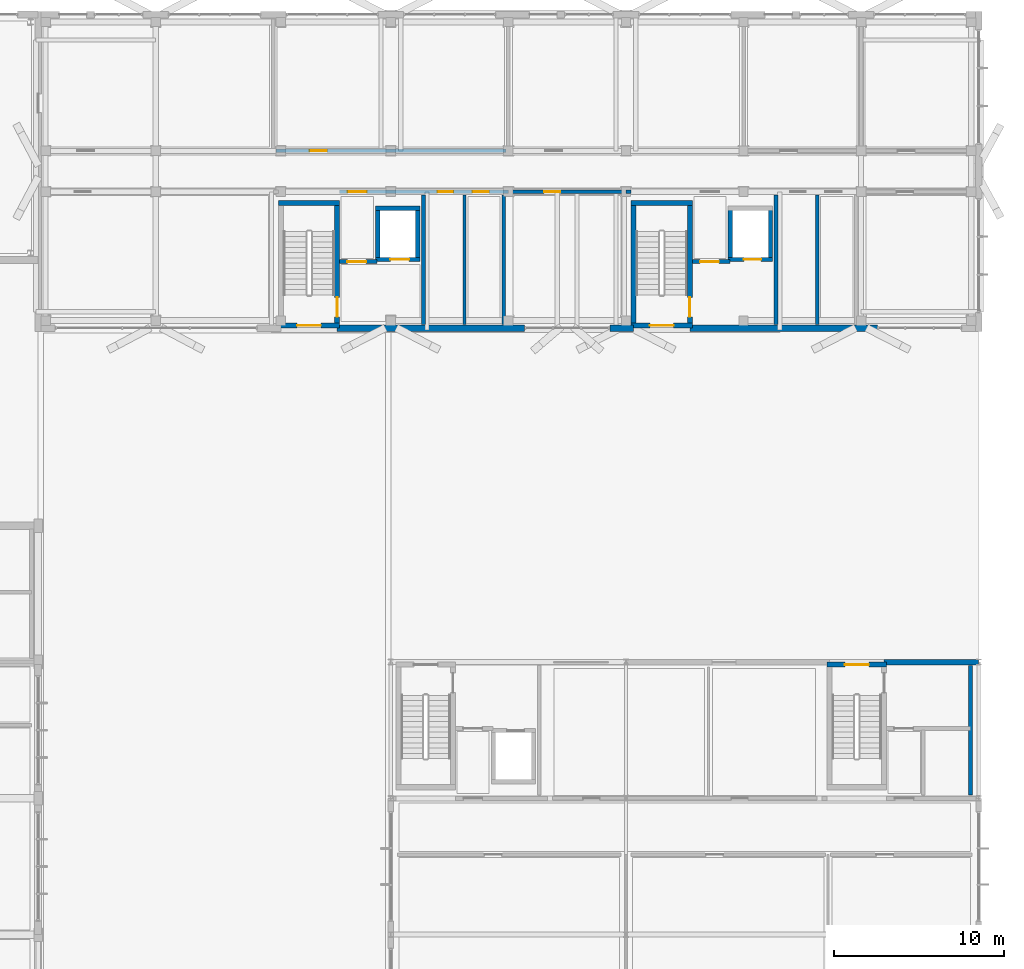
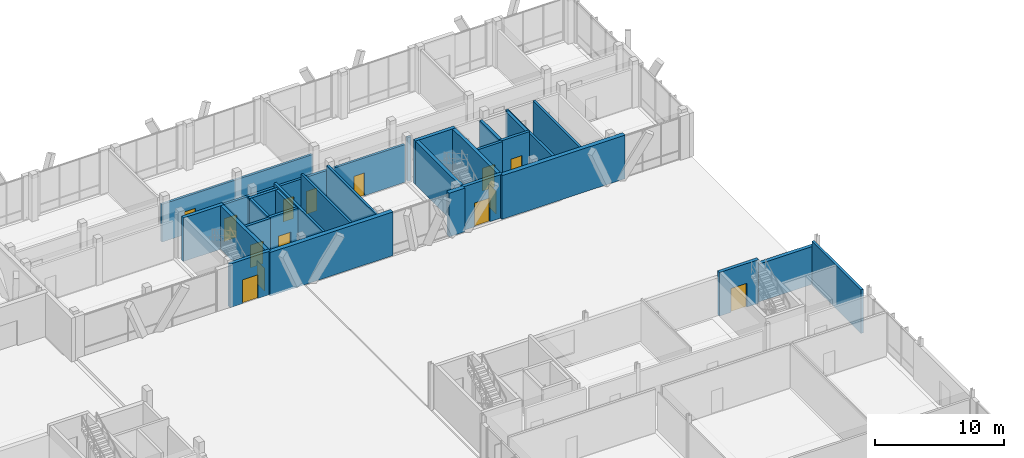
# One storey, part 204 of 233: 31 walls, 14 doors, 14 openings.
"""IFC4 building model written with IfcOpenShell, lengths in metres."""

from ifc_helpers import new_model, si_unit, direction, frame, frame_2d, origin, origin_with_axes, place, context, subcontext, project, spatial, rectangle, extrude, material, layer, layer_set, type_object, element, fill, save


model = new_model("IFC4")

# Units and contexts
model_context = context("Model", 3, precision=1e-05, world=origin(), true_north=direction((0.0, 1.0)))
body_context = subcontext(model_context, "Body", "Model", "MODEL_VIEW")
ifc_project = project(units=[si_unit("LENGTHUNIT", "METRE"), si_unit("AREAUNIT", "SQUARE_METRE"), si_unit("VOLUMEUNIT", "CUBIC_METRE"), si_unit("PLANEANGLEUNIT", "RADIAN"), si_unit("MASSUNIT", "GRAM", prefix="KILO")], contexts=[model_context])

# Site, building, storey
site_placement = place(None, origin())
site = spatial("IfcSite", under=ifc_project, at=site_placement, CompositionType="ELEMENT")
building_placement = place(site_placement, origin())
building = spatial("IfcBuilding", under=site, at=building_placement, Name="Zavelmont Quarter", CompositionType="ELEMENT")
storey_placement = place(building_placement, origin())
storey = spatial("IfcBuildingStorey", under=building, at=storey_placement, Name="L00", CompositionType="ELEMENT", Elevation=0.0)

# Walls
ifc_material_1 = material(Name="Natural Belgian limestone", Category="masonry")
ifc_layer_1 = layer(ifc_material_1, 0.3798828125)
ifc_layer_set_1 = layer_set([ifc_layer_1], Name="Natural Belgian limestone")
wall_type_1 = type_object("IfcWallType", Name="EW01", PredefinedType="STANDARD", material=ifc_layer_set_1)
wall_1_placement = place(storey_placement, frame((130.35009765625, 97.60009765625, 0.0), z_axis=(0.0, 0.0, 1.0), x_axis=(1.0, 0.0, 0.0)))
element("IfcWall", 1, at=wall_1_placement, inside=storey, type_object=wall_type_1, Name="L00 exterior limestone wall EW01", PredefinedType="STANDARD", context=body_context, shape_type="SweptSolid", body=[
    extrude(rectangle(XDim=11.0, YDim=0.3798828125, at=frame_2d((5.5, 0.0))), origin(), (0.0, 0.0, 1.0), 4.1201171875),
])
wall_2_placement = place(storey_placement, frame((146.35009765625, 97.60009765625, 0.0), z_axis=(0.0, 0.0, 1.0), x_axis=(1.0, 0.0, 0.0)))
element("IfcWall", 2, at=wall_2_placement, inside=storey, type_object=wall_type_1, Name="L00 exterior limestone wall EW01", PredefinedType="STANDARD", context=body_context, shape_type="SweptSolid", body=[
    extrude(rectangle(XDim=1.39990234375, YDim=0.3798828125, at=frame_2d((0.699951171875, 0.0))), origin(), (0.0, 0.0, 1.0), 4.1201171875),
])
wall_3_placement = place(storey_placement, frame((151.050048828125, 97.60009765625, 0.0), z_axis=(0.0, 0.0, 1.0), x_axis=(1.0, 0.0, 0.0)))
element("IfcWall", 3, at=wall_3_placement, inside=storey, type_object=wall_type_1, Name="L00 exterior limestone wall EW01", PredefinedType="STANDARD", context=body_context, shape_type="SweptSolid", body=[
    extrude(rectangle(XDim=11.0, YDim=0.3798828125, at=frame_2d((5.5, 0.0))), origin(), (0.0, 0.0, 1.0), 4.1201171875),
])
ifc_layer_2 = layer(ifc_material_1, 0.320068359375)
ifc_layer_set_2 = layer_set([ifc_layer_2], Name="Natural Belgian limestone")
wall_type_2 = type_object("IfcWallType", Name="EW05", PredefinedType="STANDARD", material=ifc_layer_set_2)
wall_4_placement = place(storey_placement, frame((162.449951171875, 78.0, 0.0), z_axis=(0.0, 0.0, 1.0), x_axis=(1.0, 0.0, 0.0)))
element("IfcWall", 4, at=wall_4_placement, inside=storey, type_object=wall_type_2, Name="L00 exterior limestone wall EW05", PredefinedType="STANDARD", context=body_context, shape_type="SweptSolid", body=[
    extrude(rectangle(XDim=5.550048828125, YDim=0.320068359375, at=frame_2d((2.77490234375, 0.0))), origin(), (0.0, 0.0, 1.0), 3.570068359375),
])
ifc_material_2 = material(Name="Calcium-silicate blockwork and acoustic plaster", Category="masonry")
ifc_layer_3 = layer(ifc_material_2, 0.199951171875)
ifc_layer_set_3 = layer_set([ifc_layer_3], Name="Calcium-silicate blockwork and acoustic plaster")
wall_type_3 = type_object("IfcWallType", Name="IW01", PredefinedType="PARTITIONING", material=ifc_layer_set_3)
for number, where, z_axis, x_axis, name in (
    (5, (137.824951171875, 97.800048828125, 0.0), (0.0, 0.0, 1.0), (0.0, 1.0, 0.0), "L00 Service riser divider wall IW01"),
    (6, (140.1201171875, 97.800048828125, 0.0), (0.0, 0.0, 1.0), (0.0, 1.0, 0.0), "L00 Core service end wall IW01"),
):
    element("IfcWall", number, at=place(storey_placement, frame(where, z_axis=z_axis, x_axis=x_axis)), inside=storey, type_object=wall_type_3, Name=name, PredefinedType="PARTITIONING", context=body_context, shape_type="SweptSolid", body=[
        extrude(rectangle(XDim=7.599853515625, YDim=0.199951171875, at=frame_2d((3.7998046875, 0.0))), origin(), (0.0, 0.0, 1.0), 4.1201171875),
    ])
wall_5_placement = place(storey_placement, frame((158.52490234375, 97.800048828125, 0.0), z_axis=(0.0, 0.0, 1.0), x_axis=(0.0, 1.0, 0.0)))
element("IfcWall", 7, at=wall_5_placement, inside=storey, type_object=wall_type_3, Name="L00 Service riser divider wall IW01", PredefinedType="PARTITIONING", context=body_context, shape_type="SweptSolid", body=[
    extrude(rectangle(XDim=7.599853515625, YDim=0.199951171875, at=frame_2d((3.7998046875, 0.0))), origin(), (0.0, 0.0, 1.0), 3.7900390625),
])

# Wall, opening, door
wall_6_placement = place(storey_placement, frame((126.75, 108.0, 0.0), z_axis=(0.0, 0.0, 1.0), x_axis=(1.0, 0.0, 0.0)))
wall_6 = element("IfcWall", 8, at=wall_6_placement, inside=storey, type_object=wall_type_3, Name="L00 Residents Community Room corridor wall IW01", PredefinedType="PARTITIONING", context=body_context, shape_type="SweptSolid", body=[
    extrude(rectangle(XDim=13.5, YDim=0.199951171875, at=frame_2d((6.75, 0.0))), origin(), (0.0, 0.0, 1.0), 3.56005859375),
])
opening_1_placement = place(wall_6_placement, frame((2.0, 0.0, 0.0)))
opening_1 = element("IfcOpeningElement", 9, at=opening_1_placement, cuts=wall_6, Name="Opening DR07", PredefinedType="OPENING", context=body_context, shape_type="SweptSolid", body=[
    extrude(rectangle(XDim=1.0, YDim=2.14990234375, at=frame_2d((0.5, 1.074951171875))), frame((0.0, 0.11181640625, 0.0), z_axis=(0.0, -1.0, 0.0), x_axis=(1.0, 0.0, 0.0)), (0.0, 0.0, 1.0), 0.223876953125),
])
ifc_material_3 = material(Name="Solid-core oak fire leaf in steel frame", Category="steel")
door_type_1 = type_object("IfcDoorType", Name="DR07", OperationType="NOTDEFINED", PredefinedType="DOOR", material=ifc_material_3)
door_1_placement = place(opening_1_placement, origin_with_axes())
door_1 = element("IfcDoor", 10, at=door_1_placement, inside=storey, type_object=door_type_1, Name="L00 door DR07", OperationType="SINGLE_SWING_RIGHT", OverallHeight=2.14990234375, OverallWidth=1.0, PredefinedType="DOOR", context=body_context, shape_type="SweptSolid", body=[
    extrude(rectangle(XDim=1.0, YDim=2.14990234375, at=frame_2d((0.5, 1.074951171875))), frame((0.0, 0.02490234375, 0.0), z_axis=(0.0, -1.0, 0.0), x_axis=(1.0, 0.0, 0.0)), (0.0, 0.0, 1.0), 0.050048828125),
])
fill(opening_1, door_1)

wall_7_placement = place(storey_placement, frame((140.60009765625, 105.60009765625, 0.0), z_axis=(0.0, 0.0, 1.0), x_axis=(1.0, 0.0, 0.0)))
wall_7 = element("IfcWall", 11, at=wall_7_placement, inside=storey, type_object=wall_type_3, Name="L00 Interior partition IW01", PredefinedType="PARTITIONING", context=body_context, shape_type="SweptSolid", body=[
    extrude(rectangle(XDim=6.5, YDim=0.199951171875, at=frame_2d((3.25, 0.0))), origin(), (0.0, 0.0, 1.0), 3.56005859375),
])
opening_2_placement = place(wall_7_placement, frame((1.89990234375, 0.0, 0.0)))
opening_2 = element("IfcOpeningElement", 12, at=opening_2_placement, cuts=wall_7, Name="Opening DR02", PredefinedType="OPENING", context=body_context, shape_type="SweptSolid", body=[
    extrude(rectangle(XDim=0.949951171875, YDim=2.14990234375, at=frame_2d((0.47509765625, 1.074951171875))), frame((0.0, 0.11181640625, 0.0), z_axis=(0.0, -1.0, 0.0), x_axis=(1.0, 0.0, 0.0)), (0.0, 0.0, 1.0), 0.223876953125),
])
door_type_2 = type_object("IfcDoorType", Name="DR02", OperationType="NOTDEFINED", PredefinedType="DOOR", material=ifc_material_3)
door_2_placement = place(opening_2_placement, frame((0.949951171875, 0.0, 0.0), z_axis=(0.0, 0.0, 1.0), x_axis=(-1.0, 0.0, 0.0)))
door_2 = element("IfcDoor", 13, at=door_2_placement, inside=storey, type_object=door_type_2, Name="L00 door DR02", OperationType="SINGLE_SWING_LEFT", OverallHeight=2.14990234375, OverallWidth=0.949951171875, PredefinedType="DOOR", context=body_context, shape_type="SweptSolid", body=[
    extrude(rectangle(XDim=0.949951171875, YDim=2.14990234375, at=frame_2d((0.47509765625, 1.074951171875))), frame((0.0, 0.02490234375, 0.0), z_axis=(0.0, -1.0, 0.0), x_axis=(1.0, 0.0, 0.0)), (0.0, 0.0, 1.0), 0.050048828125),
])
fill(opening_2, door_2)

# Wall
ifc_material_4 = material(Name="Reinforced masonry fire compartment wall", Category="masonry")
ifc_layer_4 = layer(ifc_material_4, 0.22509765625)
ifc_layer_set_4 = layer_set([ifc_layer_4], Name="Reinforced masonry fire compartment wall")
wall_type_4 = type_object("IfcWallType", Name="IW02", PredefinedType="PARTITIONING", material=ifc_layer_set_4)
wall_8_placement = place(storey_placement, frame((135.409912109375, 97.800048828125, 0.0), z_axis=(0.0, 0.0, 1.0), x_axis=(0.0, 1.0, 0.0)))
element("IfcWall", 14, at=wall_8_placement, inside=storey, type_object=wall_type_4, Name="L00 Firefighting lobby enclosure wall IW02", PredefinedType="PARTITIONING", context=body_context, shape_type="SweptSolid", body=[
    extrude(rectangle(XDim=7.599853515625, YDim=0.22509765625, at=frame_2d((3.7998046875, 0.0))), origin(), (0.0, 0.0, 1.0), 4.1201171875),
])

# Wall, opening, door
wall_9_placement = place(storey_placement, frame((130.5, 101.5, 0.0), z_axis=(0.0, 0.0, 1.0), x_axis=(1.0, 0.0, 0.0)))
wall_9 = element("IfcWall", 15, at=wall_9_placement, inside=storey, type_object=wall_type_4, Name="L00 Firefighting lobby threshold wall IW02", PredefinedType="PARTITIONING", context=body_context, shape_type="SweptSolid", body=[
    extrude(rectangle(XDim=2.199951171875, YDim=0.22509765625, at=frame_2d((1.10009765625, 0.0))), origin(), (0.0, 0.0, 1.0), 4.1201171875),
])
opening_3_placement = place(wall_9_placement, frame((0.449951171875, 0.0, 0.0)))
opening_3 = element("IfcOpeningElement", 16, at=opening_3_placement, cuts=wall_9, Name="Opening DR10", PredefinedType="OPENING", context=body_context, shape_type="SweptSolid", body=[
    extrude(rectangle(XDim=1.10009765625, YDim=2.14990234375, at=frame_2d((0.550048828125, 1.074951171875))), frame((0.0, 0.12451171875, 0.0), z_axis=(0.0, -1.0, 0.0), x_axis=(1.0, 0.0, 0.0)), (0.0, 0.0, 1.0), 0.2490234375),
])
ifc_material_5 = material(Name="Painted steel lobby fire door", Category="steel")
door_type_3 = type_object("IfcDoorType", Name="DR10", OperationType="NOTDEFINED", PredefinedType="DOOR", material=ifc_material_5)
door_3_placement = place(opening_3_placement, frame((1.10009765625, 0.0, 0.0), z_axis=(0.0, 0.0, 1.0), x_axis=(-1.0, 0.0, 0.0)))
door_3 = element("IfcDoor", 17, at=door_3_placement, inside=storey, type_object=door_type_3, Name="Firefighting lobby fire door", OperationType="SINGLE_SWING_RIGHT", OverallHeight=2.14990234375, OverallWidth=1.10009765625, PredefinedType="DOOR", context=body_context, shape_type="SweptSolid", body=[
    extrude(rectangle(XDim=1.10009765625, YDim=2.14990234375, at=frame_2d((0.550048828125, 1.074951171875))), frame((0.0, 0.02490234375, 0.0), z_axis=(0.0, -1.0, 0.0), x_axis=(1.0, 0.0, 0.0)), (0.0, 0.0, 1.0), 0.050048828125),
])
fill(opening_3, door_3)

# Wall, openings, doors
wall_10_placement = place(storey_placement, frame((130.5, 105.60009765625, 0.0), z_axis=(0.0, 0.0, 1.0), x_axis=(1.0, 0.0, 0.0)))
wall_10 = element("IfcWall", 18, at=wall_10_placement, inside=storey, type_object=wall_type_4, Name="L00 Core corridor fire wall IW02", PredefinedType="PARTITIONING", context=body_context, shape_type="SweptSolid", body=[
    extrude(rectangle(XDim=9.89990234375, YDim=0.22509765625, at=frame_2d((4.949951171875, 0.0))), origin(), (0.0, 0.0, 1.0), 3.56005859375),
])
opening_4_placement = place(wall_10_placement, frame((0.47509765625, 0.0, 0.0)))
opening_4 = element("IfcOpeningElement", 19, at=opening_4_placement, cuts=wall_10, Name="Opening DR10", PredefinedType="OPENING", context=body_context, shape_type="SweptSolid", body=[
    extrude(rectangle(XDim=1.10009765625, YDim=2.14990234375, at=frame_2d((0.550048828125, 1.074951171875))), frame((0.0, 0.12451171875, 0.0), z_axis=(0.0, -1.0, 0.0), x_axis=(1.0, 0.0, 0.0)), (0.0, 0.0, 1.0), 0.2490234375),
])
opening_5_placement = place(wall_10_placement, frame((5.75, 0.0, 0.0)))
opening_5 = element("IfcOpeningElement", 20, at=opening_5_placement, cuts=wall_10, Name="Opening DR11", PredefinedType="OPENING", context=body_context, shape_type="SweptSolid", body=[
    extrude(rectangle(XDim=0.89990234375, YDim=2.10009765625, at=frame_2d((0.449951171875, 1.050048828125))), frame((0.0, 0.12451171875, 0.0), z_axis=(0.0, -1.0, 0.0), x_axis=(1.0, 0.0, 0.0)), (0.0, 0.0, 1.0), 0.2490234375),
])
opening_6_placement = place(wall_10_placement, frame((7.800048828125, 0.0, 0.0)))
opening_6 = element("IfcOpeningElement", 21, at=opening_6_placement, cuts=wall_10, Name="Opening DR02", PredefinedType="OPENING", context=body_context, shape_type="SweptSolid", body=[
    extrude(rectangle(XDim=0.949951171875, YDim=2.14990234375, at=frame_2d((0.47509765625, 1.074951171875))), frame((0.0, 0.12451171875, 0.0), z_axis=(0.0, -1.0, 0.0), x_axis=(1.0, 0.0, 0.0)), (0.0, 0.0, 1.0), 0.2490234375),
])
door_4_placement = place(opening_6_placement, origin_with_axes())
door_4 = element("IfcDoor", 22, at=door_4_placement, inside=storey, type_object=door_type_2, Name="Auxiliary store corridor door", OperationType="SINGLE_SWING_RIGHT", OverallHeight=2.14990234375, OverallWidth=0.949951171875, PredefinedType="DOOR", context=body_context, shape_type="SweptSolid", body=[
    extrude(rectangle(XDim=0.949951171875, YDim=2.14990234375, at=frame_2d((0.47509765625, 1.074951171875))), frame((0.0, 0.02490234375, 0.0), z_axis=(0.0, -1.0, 0.0), x_axis=(1.0, 0.0, 0.0)), (0.0, 0.0, 1.0), 0.050048828125),
])
fill(opening_6, door_4)
door_5_placement = place(opening_4_placement, frame((1.10009765625, 0.0, 0.0), z_axis=(0.0, 0.0, 1.0), x_axis=(-1.0, 0.0, 0.0)))
door_5 = element("IfcDoor", 23, at=door_5_placement, inside=storey, type_object=door_type_3, Name="Core vestibule fire door", OperationType="SINGLE_SWING_LEFT", OverallHeight=2.14990234375, OverallWidth=1.10009765625, PredefinedType="DOOR", context=body_context, shape_type="SweptSolid", body=[
    extrude(rectangle(XDim=1.10009765625, YDim=2.14990234375, at=frame_2d((0.550048828125, 1.074951171875))), frame((0.0, 0.02490234375, 0.0), z_axis=(0.0, -1.0, 0.0), x_axis=(1.0, 0.0, 0.0)), (0.0, 0.0, 1.0), 0.050048828125),
])
fill(opening_4, door_5)
ifc_material_6 = material(Name="Painted steel service-riser fire door", Category="steel")
door_type_4 = type_object("IfcDoorType", Name="DR11", OperationType="NOTDEFINED", PredefinedType="DOOR", material=ifc_material_6)
door_6_placement = place(opening_5_placement, origin_with_axes())
door_6 = element("IfcDoor", 24, at=door_6_placement, inside=storey, type_object=door_type_4, Name="Service riser fire door", OperationType="SINGLE_SWING_LEFT", OverallHeight=2.10009765625, OverallWidth=0.89990234375, PredefinedType="DOOR", context=body_context, shape_type="SweptSolid", body=[
    extrude(rectangle(XDim=0.89990234375, YDim=2.10009765625, at=frame_2d((0.449951171875, 1.050048828125))), frame((0.0, 0.02490234375, 0.0), z_axis=(0.0, -1.0, 0.0), x_axis=(1.0, 0.0, 0.0)), (0.0, 0.0, 1.0), 0.050048828125),
])
fill(opening_5, door_6)

# Wall
wall_11_placement = place(storey_placement, frame((156.110107421875, 97.800048828125, 0.0), z_axis=(0.0, 0.0, 1.0), x_axis=(0.0, 1.0, 0.0)))
element("IfcWall", 25, at=wall_11_placement, inside=storey, type_object=wall_type_4, Name="L00 Firefighting lobby enclosure wall IW02", PredefinedType="PARTITIONING", context=body_context, shape_type="SweptSolid", body=[
    extrude(rectangle(XDim=7.599853515625, YDim=0.22509765625, at=frame_2d((3.7998046875, 0.0))), origin(), (0.0, 0.0, 1.0), 3.7900390625),
])

# Wall, opening, door
wall_12_placement = place(storey_placement, frame((151.199951171875, 101.5, 0.0), z_axis=(0.0, 0.0, 1.0), x_axis=(1.0, 0.0, 0.0)))
wall_12 = element("IfcWall", 26, at=wall_12_placement, inside=storey, type_object=wall_type_4, Name="L00 Firefighting lobby threshold wall IW02", PredefinedType="PARTITIONING", context=body_context, shape_type="SweptSolid", body=[
    extrude(rectangle(XDim=2.199951171875, YDim=0.22509765625, at=frame_2d((1.10009765625, 0.0))), origin(), (0.0, 0.0, 1.0), 4.1201171875),
])
opening_7_placement = place(wall_12_placement, frame((0.449951171875, 0.0, 0.0)))
opening_7 = element("IfcOpeningElement", 27, at=opening_7_placement, cuts=wall_12, Name="Opening DR10", PredefinedType="OPENING", context=body_context, shape_type="SweptSolid", body=[
    extrude(rectangle(XDim=1.10009765625, YDim=2.14990234375, at=frame_2d((0.550048828125, 1.074951171875))), frame((0.0, 0.12451171875, 0.0), z_axis=(0.0, -1.0, 0.0), x_axis=(1.0, 0.0, 0.0)), (0.0, 0.0, 1.0), 0.2490234375),
])
door_7_placement = place(opening_7_placement, frame((1.10009765625, 0.0, 0.0), z_axis=(0.0, 0.0, 1.0), x_axis=(-1.0, 0.0, 0.0)))
door_7 = element("IfcDoor", 28, at=door_7_placement, inside=storey, type_object=door_type_3, Name="Firefighting lobby fire door", OperationType="SINGLE_SWING_LEFT", OverallHeight=2.14990234375, OverallWidth=1.10009765625, PredefinedType="DOOR", context=body_context, shape_type="SweptSolid", body=[
    extrude(rectangle(XDim=1.10009765625, YDim=2.14990234375, at=frame_2d((0.550048828125, 1.074951171875))), frame((0.0, 0.02490234375, 0.0), z_axis=(0.0, -1.0, 0.0), x_axis=(1.0, 0.0, 0.0)), (0.0, 0.0, 1.0), 0.050048828125),
])
fill(opening_7, door_7)

# Walls
wall_13_placement = place(storey_placement, frame((147.300048828125, 105.60009765625, 0.0), z_axis=(0.0, 0.0, 1.0), x_axis=(1.0, 0.0, 0.0)))
element("IfcWall", 29, at=wall_13_placement, inside=storey, type_object=wall_type_4, Name="L00 Core corridor wall IW02", PredefinedType="PARTITIONING", context=body_context, shape_type="SweptSolid", body=[
    extrude(rectangle(XDim=0.300048828125, YDim=0.22509765625, at=frame_2d((0.14990234375, 0.0))), origin(), (0.0, 0.0, 1.0), 4.1201171875),
])
wall_14_placement = place(storey_placement, frame((167.510009765625, 70.199951171875, 0.0), z_axis=(0.0, 0.0, 1.0), x_axis=(0.0, 1.0, 0.0)))
element("IfcWall", 30, at=wall_14_placement, inside=storey, type_object=wall_type_4, Name="L00 Firefighting lobby enclosure wall IW02", PredefinedType="PARTITIONING", context=body_context, shape_type="SweptSolid", body=[
    extrude(rectangle(XDim=7.60009765625, YDim=0.22509765625, at=frame_2d((3.800048828125, 0.0))), origin(), (0.0, 0.0, 1.0), 4.1201171875),
])
ifc_material_7 = material(Name="Concrete C40/50", Category="concrete")
ifc_layer_5 = layer(ifc_material_7, 0.300048828125)
ifc_layer_set_5 = layer_set([ifc_layer_5], Name="Concrete C40/50")
wall_type_5 = type_object("IfcWallType", Name="SW01", PredefinedType="SHEAR", material=ifc_layer_set_5)
wall_15_placement = place(storey_placement, frame((126.89990234375, 104.949951171875, 0.0), z_axis=(0.0, 0.0, 1.0), x_axis=(1.0, 0.0, 0.0)))
element("IfcWall", 31, at=wall_15_placement, inside=storey, type_object=wall_type_5, Name="L00 ST05 corridor shear wall SW01", PredefinedType="SHEAR", context=body_context, shape_type="SweptSolid", body=[
    extrude(rectangle(XDim=3.60009765625, YDim=0.300048828125, at=frame_2d((1.800048828125, 0.0))), origin(), (0.0, 0.0, 1.0), 4.1201171875),
])

# Wall, opening, door
wall_16_placement = place(storey_placement, frame((130.35009765625, 97.60009765625, 0.0), z_axis=(0.0, 0.0, 1.0), x_axis=(0.0, 1.0, 0.0)))
wall_16 = element("IfcWall", 32, at=wall_16_placement, inside=storey, type_object=wall_type_5, Name="L00 ST05 lobby shear wall SW01", PredefinedType="SHEAR", context=body_context, shape_type="SweptSolid", body=[
    extrude(rectangle(XDim=7.5, YDim=0.300048828125, at=frame_2d((3.75, 0.0))), origin(), (0.0, 0.0, 1.0), 4.1201171875),
])
opening_8_placement = place(wall_16_placement, frame((0.64990234375, 0.0, 0.0)))
opening_8 = element("IfcOpeningElement", 33, at=opening_8_placement, cuts=wall_16, Name="Opening DR09", PredefinedType="OPENING", context=body_context, shape_type="SweptSolid", body=[
    extrude(rectangle(XDim=1.14990234375, YDim=2.14990234375, at=frame_2d((0.574951171875, 1.074951171875))), frame((0.0, 0.162109375, 0.0), z_axis=(0.0, -1.0, 0.0), x_axis=(1.0, 0.0, 0.0)), (0.0, 0.0, 1.0), 0.323974609375),
])
ifc_material_8 = material(Name="Painted steel stair-core fire door", Category="steel")
door_type_5 = type_object("IfcDoorType", Name="DR09", OperationType="NOTDEFINED", PredefinedType="DOOR", material=ifc_material_8)
door_8_placement = place(opening_8_placement, origin_with_axes())
door_8 = element("IfcDoor", 34, at=door_8_placement, inside=storey, type_object=door_type_5, Name="ST05 protected stair door", OperationType="SINGLE_SWING_RIGHT", OverallHeight=2.14990234375, OverallWidth=1.14990234375, PredefinedType="DOOR", context=body_context, shape_type="SweptSolid", body=[
    extrude(rectangle(XDim=1.14990234375, YDim=2.14990234375, at=frame_2d((0.574951171875, 1.074951171875))), frame((0.0, 0.02490234375, 0.0), z_axis=(0.0, -1.0, 0.0), x_axis=(1.0, 0.0, 0.0)), (0.0, 0.0, 1.0), 0.050048828125),
])
fill(opening_8, door_8)

# Walls
wall_17_placement = place(storey_placement, frame((147.60009765625, 104.949951171875, 0.0), z_axis=(0.0, 0.0, 1.0), x_axis=(1.0, 0.0, 0.0)))
element("IfcWall", 35, at=wall_17_placement, inside=storey, type_object=wall_type_5, Name="L00 ST06 corridor shear wall SW01", PredefinedType="SHEAR", context=body_context, shape_type="SweptSolid", body=[
    extrude(rectangle(XDim=3.599853515625, YDim=0.300048828125, at=frame_2d((1.7998046875, 0.0))), origin(), (0.0, 0.0, 1.0), 4.1201171875),
])
wall_18_placement = place(storey_placement, frame((147.75, 97.60009765625, 0.0), z_axis=(0.0, 0.0, 1.0), x_axis=(0.0, 1.0, 0.0)))
element("IfcWall", 36, at=wall_18_placement, inside=storey, type_object=wall_type_5, Name="L00 ST06 west shear wall SW01", PredefinedType="SHEAR", context=body_context, shape_type="SweptSolid", body=[
    extrude(rectangle(XDim=7.5, YDim=0.300048828125, at=frame_2d((3.75, 0.0))), origin(), (0.0, 0.0, 1.0), 4.1201171875),
])

# Wall, opening, door
wall_19_placement = place(storey_placement, frame((151.050048828125, 97.60009765625, 0.0), z_axis=(0.0, 0.0, 1.0), x_axis=(0.0, 1.0, 0.0)))
wall_19 = element("IfcWall", 37, at=wall_19_placement, inside=storey, type_object=wall_type_5, Name="L00 ST06 lobby shear wall SW01", PredefinedType="SHEAR", context=body_context, shape_type="SweptSolid", body=[
    extrude(rectangle(XDim=7.5, YDim=0.300048828125, at=frame_2d((3.75, 0.0))), origin(), (0.0, 0.0, 1.0), 4.1201171875),
])
opening_9_placement = place(wall_19_placement, frame((0.64990234375, 0.0, 0.0)))
opening_9 = element("IfcOpeningElement", 38, at=opening_9_placement, cuts=wall_19, Name="Opening DR09", PredefinedType="OPENING", context=body_context, shape_type="SweptSolid", body=[
    extrude(rectangle(XDim=1.14990234375, YDim=2.14990234375, at=frame_2d((0.574951171875, 1.074951171875))), frame((0.0, 0.162109375, 0.0), z_axis=(0.0, -1.0, 0.0), x_axis=(1.0, 0.0, 0.0)), (0.0, 0.0, 1.0), 0.323974609375),
])
door_9_placement = place(opening_9_placement, origin_with_axes())
door_9 = element("IfcDoor", 39, at=door_9_placement, inside=storey, type_object=door_type_5, Name="ST06 protected stair door", OperationType="SINGLE_SWING_RIGHT", OverallHeight=2.14990234375, OverallWidth=1.14990234375, PredefinedType="DOOR", context=body_context, shape_type="SweptSolid", body=[
    extrude(rectangle(XDim=1.14990234375, YDim=2.14990234375, at=frame_2d((0.574951171875, 1.074951171875))), frame((0.0, 0.02490234375, 0.0), z_axis=(0.0, -1.0, 0.0), x_axis=(1.0, 0.0, 0.0)), (0.0, 0.0, 1.0), 0.050048828125),
])
fill(opening_9, door_9)

ifc_layer_6 = layer(ifc_material_7, 0.25)
ifc_layer_set_6 = layer_set([ifc_layer_6], Name="Concrete C40/50")
wall_type_6 = type_object("IfcWallType", Name="SW02", PredefinedType="SHEAR", material=ifc_layer_set_6)
wall_20_placement = place(storey_placement, frame((132.60009765625, 101.625, 0.0), z_axis=(0.0, 0.0, 1.0), x_axis=(1.0, 0.0, 0.0)))
wall_20 = element("IfcWall", 40, at=wall_20_placement, inside=storey, type_object=wall_type_6, Name="L00 Lift FL03 landing shaft wall SW02", PredefinedType="SHEAR", context=body_context, shape_type="SweptSolid", body=[
    extrude(rectangle(XDim=2.599853515625, YDim=0.25, at=frame_2d((1.2998046875, 0.0))), origin(), (0.0, 0.0, 1.0), 4.1201171875),
])
opening_10_placement = place(wall_20_placement, frame((0.875, 0.0, 0.0)))
opening_10 = element("IfcOpeningElement", 41, at=opening_10_placement, cuts=wall_20, Name="Opening LD02", PredefinedType="OPENING", context=body_context, shape_type="SweptSolid", body=[
    extrude(rectangle(XDim=1.10009765625, YDim=2.10009765625, at=frame_2d((0.550048828125, 1.050048828125))), frame((0.0, 0.136962890625, 0.0), z_axis=(0.0, -1.0, 0.0), x_axis=(1.0, 0.0, 0.0)), (0.0, 0.0, 1.0), 0.27392578125),
])
ifc_material_9 = material(Name="Brushed stainless-steel firefighting lift landing door", Category="steel")
door_type_6 = type_object("IfcDoorType", Name="LD02", OperationType="SLIDING_TO_LEFT", PredefinedType="DOOR", material=ifc_material_9)
door_10_placement = place(opening_10_placement, origin_with_axes())
door_10 = element("IfcDoor", 42, at=door_10_placement, inside=storey, type_object=door_type_6, Name="Lift FL03 sliding landing door", OperationType="SLIDING_TO_LEFT", OverallHeight=2.10009765625, OverallWidth=1.10009765625, PredefinedType="DOOR", context=body_context, shape_type="SweptSolid", body=[
    extrude(rectangle(XDim=1.10009765625, YDim=2.10009765625, at=frame_2d((0.550048828125, 1.050048828125))), frame((0.0, 0.02490234375, 0.0), z_axis=(0.0, -1.0, 0.0), x_axis=(1.0, 0.0, 0.0)), (0.0, 0.0, 1.0), 0.050048828125),
])
fill(opening_10, door_10)

# Walls
wall_21_placement = place(storey_placement, frame((132.60009765625, 104.625, 0.0), z_axis=(0.0, 0.0, 1.0), x_axis=(1.0, 0.0, 0.0)))
element("IfcWall", 43, at=wall_21_placement, inside=storey, type_object=wall_type_6, Name="L00 Lift FL03 back shaft wall SW02", PredefinedType="SHEAR", context=body_context, shape_type="SweptSolid", body=[
    extrude(rectangle(XDim=2.599853515625, YDim=0.25, at=frame_2d((1.2998046875, 0.0))), origin(), (0.0, 0.0, 1.0), 4.1201171875),
])
for number, where, z_axis, x_axis, name in (
    (44, (132.72509765625, 101.5, 0.0), (0.0, 0.0, 1.0), (0.0, 1.0, 0.0), "L00 Lift FL03 west shaft wall SW02"),
    (45, (135.074951171875, 101.5, 0.0), (0.0, 0.0, 1.0), (0.0, 1.0, 0.0), "L00 Lift FL03 east shaft wall SW02"),
):
    element("IfcWall", number, at=place(storey_placement, frame(where, z_axis=z_axis, x_axis=x_axis)), inside=storey, type_object=wall_type_6, Name=name, PredefinedType="SHEAR", context=body_context, shape_type="SweptSolid", body=[
        extrude(rectangle(XDim=3.25, YDim=0.25, at=frame_2d((1.625, 0.0))), origin(), (0.0, 0.0, 1.0), 4.1201171875),
    ])

# Wall, opening, door
wall_22_placement = place(storey_placement, frame((153.300048828125, 101.625, 0.0), z_axis=(0.0, 0.0, 1.0), x_axis=(1.0, 0.0, 0.0)))
wall_22 = element("IfcWall", 46, at=wall_22_placement, inside=storey, type_object=wall_type_6, Name="L00 Lift LF06 landing shaft wall SW02", PredefinedType="SHEAR", context=body_context, shape_type="SweptSolid", body=[
    extrude(rectangle(XDim=2.599853515625, YDim=0.25, at=frame_2d((1.2998046875, 0.0))), origin(), (0.0, 0.0, 1.0), 4.1201171875),
])
opening_11_placement = place(wall_22_placement, frame((0.925048828125, 0.0, 0.0)))
opening_11 = element("IfcOpeningElement", 47, at=opening_11_placement, cuts=wall_22, Name="Opening LD01", PredefinedType="OPENING", context=body_context, shape_type="SweptSolid", body=[
    extrude(rectangle(XDim=1.0, YDim=2.10009765625, at=frame_2d((0.5, 1.050048828125))), frame((0.0, 0.136962890625, 0.0), z_axis=(0.0, -1.0, 0.0), x_axis=(1.0, 0.0, 0.0)), (0.0, 0.0, 1.0), 0.27392578125),
])
ifc_material_10 = material(Name="Brushed stainless-steel automatic sliding landing door", Category="steel")
door_type_7 = type_object("IfcDoorType", Name="LD01", OperationType="SLIDING_TO_LEFT", PredefinedType="DOOR", material=ifc_material_10)
door_11_placement = place(opening_11_placement, origin_with_axes())
door_11 = element("IfcDoor", 48, at=door_11_placement, inside=storey, type_object=door_type_7, Name="Lift LF06 sliding landing door", OperationType="SLIDING_TO_LEFT", OverallHeight=2.10009765625, OverallWidth=1.0, PredefinedType="DOOR", context=body_context, shape_type="SweptSolid", body=[
    extrude(rectangle(XDim=1.0, YDim=2.10009765625, at=frame_2d((0.5, 1.050048828125))), frame((0.0, 0.02490234375, 0.0), z_axis=(0.0, -1.0, 0.0), x_axis=(1.0, 0.0, 0.0)), (0.0, 0.0, 1.0), 0.050048828125),
])
fill(opening_11, door_11)

# Walls
for number, where, z_axis, x_axis, name in (
    (49, (153.425048828125, 101.5, 0.0), (0.0, 0.0, 1.0), (0.0, 1.0, 0.0), "L00 Lift LF06 west shaft wall SW02"),
    (50, (155.77490234375, 101.5, 0.0), (0.0, 0.0, 1.0), (0.0, 1.0, 0.0), "L00 Lift LF06 east shaft wall SW02"),
):
    element("IfcWall", number, at=place(storey_placement, frame(where, z_axis=z_axis, x_axis=x_axis)), inside=storey, type_object=wall_type_6, Name=name, PredefinedType="SHEAR", context=body_context, shape_type="SweptSolid", body=[
        extrude(rectangle(XDim=3.25, YDim=0.25, at=frame_2d((1.625, 0.0))), origin(), (0.0, 0.0, 1.0), 4.1201171875),
    ])

# Wall, opening, door
ifc_layer_7 = layer(ifc_material_7, 0.300048828125)
ifc_layer_set_7 = layer_set([ifc_layer_7], Name="Concrete C40/50")
wall_type_7 = type_object("IfcWallType", Name="SW03", PredefinedType="SHEAR", material=ifc_layer_set_7)
wall_23_placement = place(storey_placement, frame((126.89990234375, 97.75, 0.0), z_axis=(0.0, 0.0, 1.0), x_axis=(1.0, 0.0, 0.0)))
wall_23 = element("IfcWall", 51, at=wall_23_placement, inside=storey, type_object=wall_type_7, Name="L00 ST05 outer shear wall SW03", PredefinedType="SHEAR", context=body_context, shape_type="SweptSolid", body=[
    extrude(rectangle(XDim=3.60009765625, YDim=0.300048828125, at=frame_2d((1.800048828125, 0.0))), origin(), (0.0, 0.0, 1.0), 4.1201171875),
])
opening_12_placement = place(wall_23_placement, frame((1.10009765625, 0.0, 0.0)))
opening_12 = element("IfcOpeningElement", 52, at=opening_12_placement, cuts=wall_23, Name="Opening DR15", PredefinedType="OPENING", context=body_context, shape_type="SweptSolid", body=[
    extrude(rectangle(XDim=1.39990234375, YDim=2.25, at=frame_2d((0.699951171875, 1.125))), frame((0.0, 0.162109375, 0.0), z_axis=(0.0, -1.0, 0.0), x_axis=(1.0, 0.0, 0.0)), (0.0, 0.0, 1.0), 0.323974609375),
])
ifc_material_11 = material(Name="Powder-coated steel final-exit stair door", Category="steel")
door_type_8 = type_object("IfcDoorType", Name="DR15", OperationType="DOUBLE_DOOR_SINGLE_SWING", PredefinedType="DOOR", material=ifc_material_11)
door_12_placement = place(opening_12_placement, frame((1.39990234375, 0.0, 0.0), z_axis=(0.0, 0.0, 1.0), x_axis=(-1.0, 0.0, 0.0)))
door_12 = element("IfcDoor", 53, at=door_12_placement, inside=storey, type_object=door_type_8, Name="Block C ST05 courtyard final exit door", OperationType="DOUBLE_DOOR_SINGLE_SWING", OverallHeight=2.25, OverallWidth=1.39990234375, PredefinedType="DOOR", context=body_context, shape_type="SweptSolid", body=[
    extrude(rectangle(XDim=1.39990234375, YDim=2.25, at=frame_2d((0.699951171875, 1.125))), frame((0.0, 0.02490234375, 0.0), z_axis=(0.0, -1.0, 0.0), x_axis=(1.0, 0.0, 0.0)), (0.0, 0.0, 1.0), 0.050048828125),
])
fill(opening_12, door_12)

wall_24_placement = place(storey_placement, frame((147.60009765625, 97.75, 0.0), z_axis=(0.0, 0.0, 1.0), x_axis=(1.0, 0.0, 0.0)))
wall_24 = element("IfcWall", 54, at=wall_24_placement, inside=storey, type_object=wall_type_7, Name="L00 ST06 outer shear wall SW03", PredefinedType="SHEAR", context=body_context, shape_type="SweptSolid", body=[
    extrude(rectangle(XDim=3.599853515625, YDim=0.300048828125, at=frame_2d((1.7998046875, 0.0))), origin(), (0.0, 0.0, 1.0), 4.1201171875),
])
opening_13_placement = place(wall_24_placement, frame((1.10009765625, 0.0, 0.0)))
opening_13 = element("IfcOpeningElement", 55, at=opening_13_placement, cuts=wall_24, Name="Opening DR15", PredefinedType="OPENING", context=body_context, shape_type="SweptSolid", body=[
    extrude(rectangle(XDim=1.39990234375, YDim=2.25, at=frame_2d((0.699951171875, 1.125))), frame((0.0, 0.162109375, 0.0), z_axis=(0.0, -1.0, 0.0), x_axis=(1.0, 0.0, 0.0)), (0.0, 0.0, 1.0), 0.323974609375),
])
door_13_placement = place(opening_13_placement, frame((1.39990234375, 0.0, 0.0), z_axis=(0.0, 0.0, 1.0), x_axis=(-1.0, 0.0, 0.0)))
door_13 = element("IfcDoor", 56, at=door_13_placement, inside=storey, type_object=door_type_8, Name="Block C ST06 courtyard final exit door", OperationType="DOUBLE_DOOR_SINGLE_SWING", OverallHeight=2.25, OverallWidth=1.39990234375, PredefinedType="DOOR", context=body_context, shape_type="SweptSolid", body=[
    extrude(rectangle(XDim=1.39990234375, YDim=2.25, at=frame_2d((0.699951171875, 1.125))), frame((0.0, 0.02490234375, 0.0), z_axis=(0.0, -1.0, 0.0), x_axis=(1.0, 0.0, 0.0)), (0.0, 0.0, 1.0), 0.050048828125),
])
fill(opening_13, door_13)

wall_25_placement = place(storey_placement, frame((159.10009765625, 77.85009765625, 0.0), z_axis=(0.0, 0.0, 1.0), x_axis=(1.0, 0.0, 0.0)))
wall_25 = element("IfcWall", 57, at=wall_25_placement, inside=storey, type_object=wall_type_7, Name="L00 ST12 outer shear wall SW03", PredefinedType="SHEAR", context=body_context, shape_type="SweptSolid", body=[
    extrude(rectangle(XDim=3.5, YDim=0.300048828125, at=frame_2d((1.75, 0.0))), origin(), (0.0, 0.0, 1.0), 4.1201171875),
])
opening_14_placement = place(wall_25_placement, frame((1.050048828125, 0.0, 0.0)))
opening_14 = element("IfcOpeningElement", 58, at=opening_14_placement, cuts=wall_25, Name="Opening DR15", PredefinedType="OPENING", context=body_context, shape_type="SweptSolid", body=[
    extrude(rectangle(XDim=1.39990234375, YDim=2.25, at=frame_2d((0.699951171875, 1.125))), frame((0.0, 0.162109375, 0.0), z_axis=(0.0, -1.0, 0.0), x_axis=(1.0, 0.0, 0.0)), (0.0, 0.0, 1.0), 0.323974609375),
])
door_14_placement = place(opening_14_placement, origin_with_axes())
door_14 = element("IfcDoor", 59, at=door_14_placement, inside=storey, type_object=door_type_8, Name="Nursery Pavilion ST12 courtyard final exit door", OperationType="DOUBLE_DOOR_SINGLE_SWING", OverallHeight=2.25, OverallWidth=1.39990234375, PredefinedType="DOOR", context=body_context, shape_type="SweptSolid", body=[
    extrude(rectangle(XDim=1.39990234375, YDim=2.25, at=frame_2d((0.699951171875, 1.125))), frame((0.0, 0.02490234375, 0.0), z_axis=(0.0, -1.0, 0.0), x_axis=(1.0, 0.0, 0.0)), (0.0, 0.0, 1.0), 0.050048828125),
])
fill(opening_14, door_14)

save(model, "model.ifc")
